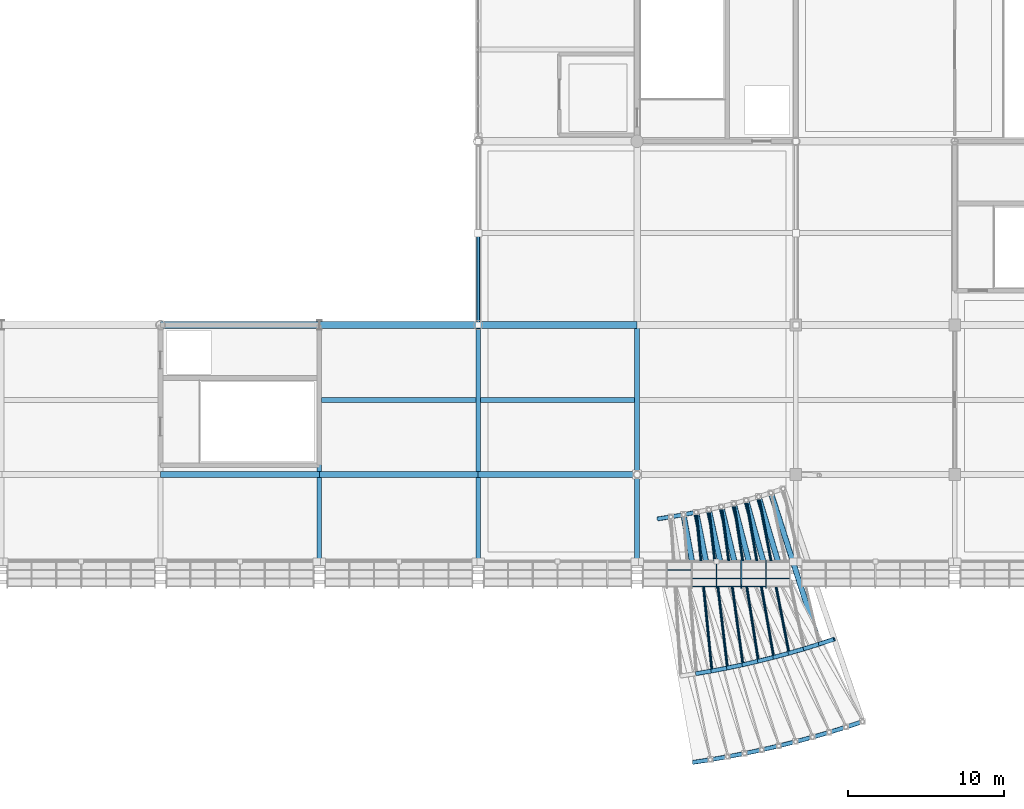
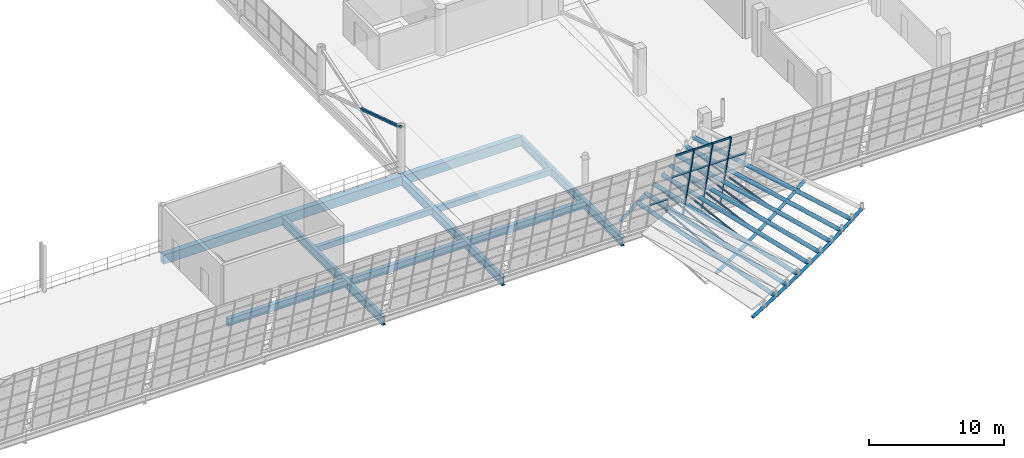
# One storey, part 49 of 157: 48 members, 11 beams, 1 element without a shape of its own.
"""IFC4 building model written with IfcOpenShell, lengths in metres."""

from ifc_helpers import new_model, si_unit, direction, frame, origin, origin_2d, place, context, subcontext, project, spatial, rectangle, hollow_rectangle, hollow_circle, i_section, extrude, material, material_profile, profile_set, type_object, element, aggregate, save


model = new_model("IFC4")

# Units and contexts
model_context = context("Model", 3, precision=1e-05, world=origin(), true_north=direction((0.0, 1.0)))
body_context = subcontext(model_context, "Body", "Model", "MODEL_VIEW")
ifc_project = project(units=[si_unit("LENGTHUNIT", "METRE"), si_unit("AREAUNIT", "SQUARE_METRE"), si_unit("VOLUMEUNIT", "CUBIC_METRE"), si_unit("PLANEANGLEUNIT", "RADIAN"), si_unit("MASSUNIT", "GRAM", prefix="KILO")], contexts=[model_context])

# Site, building, storey
site_placement = place(None, origin())
site = spatial("IfcSite", under=ifc_project, at=site_placement, CompositionType="ELEMENT")
building_placement = place(site_placement, origin())
building = spatial("IfcBuilding", under=site, at=building_placement, Name="Brelvane Convention Centre", CompositionType="ELEMENT")
storey_placement = place(building_placement, frame((0.0, 0.0, 10.800048828125)))
storey = spatial("IfcBuildingStorey", under=building, at=storey_placement, Name="L02", CompositionType="ELEMENT", Elevation=10.800048828125)

# Curtain wall, members
ifc_material_1 = material(Name="Anodised Aluminium Alloy 6063-T6", Category="aluminium")
curtain_wall_type = type_object("IfcCurtainWallType", Name="Curtain Wall CW-HULL-S", PredefinedType="USERDEFINED", material=ifc_material_1)
curtain_wall_placement = place(storey_placement, origin())
curtain_wall = element("IfcCurtainWall", 1, at=curtain_wall_placement, inside=storey, type_object=curtain_wall_type, Name="Curtain Wall CW-HULL-S L02-HULL-S-L02-16", ObjectType="UNITISED", PredefinedType="USERDEFINED")
ifc_material_2 = material(Name="Anodised Aluminium Alloy 6063-T6", Category="aluminium")
ifc_material_profile_1 = material_profile(ifc_material_2, hollow_rectangle(XDim=0.080078125, YDim=0.239990234375, WallThickness=0.006103515625, InnerFilletRadius=0.006103515625, OuterFilletRadius=0.011962890625, at=origin_2d()), Name="ALU-M 240x80x6.0")
ifc_profile_set_1 = profile_set([ifc_material_profile_1], Name="Anodised Aluminium Alloy 6063-T6")
member_type_1 = type_object("IfcMemberType", Name="Curtain Mullion CW-M1", PredefinedType="MULLION", material=ifc_profile_set_1)
member_1_placement = place(storey_placement, frame((158.10009765625, 13.60009765625, 0.0), z_axis=(0.0, -0.228360410362, 0.973576665178), x_axis=(1.0, 0.0, 0.0)))
member_1 = element("IfcMember", 2, at=member_1_placement, type_object=member_type_1, Name="CW-HULL-S mullion 4", PredefinedType="MULLION", context=body_context, shape_type="SweptSolid", body=[
    extrude(hollow_rectangle(XDim=0.080078125, YDim=0.239990234375, WallThickness=0.006103515625, InnerFilletRadius=0.006103515625, OuterFilletRadius=0.011962890625, at=origin_2d()), origin(), (0.0, 0.0, 1.0), 7.03564453125),
])
member_2_placement = place(storey_placement, frame((159.693359375, 13.60009765625, 0.0), z_axis=(0.0, -0.228360410362, 0.973576665178), x_axis=(1.0, 0.0, 0.0)))
member_2 = element("IfcMember", 3, at=member_2_placement, type_object=member_type_1, Name="CW-HULL-S mullion 5", PredefinedType="MULLION", context=body_context, shape_type="SweptSolid", body=[
    extrude(hollow_rectangle(XDim=0.080078125, YDim=0.239990234375, WallThickness=0.006103515625, InnerFilletRadius=0.006103515625, OuterFilletRadius=0.011962890625, at=origin_2d()), origin(), (0.0, 0.0, 1.0), 7.03564453125),
])
member_3_placement = place(storey_placement, frame((161.28662109375, 13.60009765625, 0.0), z_axis=(0.0, -0.228360410362, 0.973576665178), x_axis=(1.0, 0.0, 0.0)))
member_3 = element("IfcMember", 4, at=member_3_placement, type_object=member_type_1, Name="CW-HULL-S mullion 6", PredefinedType="MULLION", context=body_context, shape_type="SweptSolid", body=[
    extrude(hollow_rectangle(XDim=0.080078125, YDim=0.239990234375, WallThickness=0.006103515625, InnerFilletRadius=0.006103515625, OuterFilletRadius=0.011962890625, at=origin_2d()), origin(), (0.0, 0.0, 1.0), 7.03564453125),
])
ifc_material_3 = material(Name="Anodised Aluminium Alloy 6063-T6", Category="aluminium")
ifc_material_profile_2 = material_profile(ifc_material_3, hollow_rectangle(XDim=0.080078125, YDim=0.179931640625, WallThickness=0.0048828125, InnerFilletRadius=0.0048828125, OuterFilletRadius=0.010009765625, at=origin_2d()), Name="ALU-T 180x80x5.0")
ifc_profile_set_2 = profile_set([ifc_material_profile_2], Name="Anodised Aluminium Alloy 6063-T6")
member_type_2 = type_object("IfcMemberType", Name="Curtain Transom CW-T1", PredefinedType="USERDEFINED", material=ifc_profile_set_2)
member_4_placement = place(storey_placement, frame((154.953369140625, 13.064453125, 2.283203125), z_axis=(1.0, 0.0, 0.0), x_axis=(0.0, 1.0, 0.0)))
member_4 = element("IfcMember", 5, at=member_4_placement, type_object=member_type_2, Name="CW-HULL-S transom 2.2", ObjectType="TRANSOM", PredefinedType="USERDEFINED", context=body_context, shape_type="SweptSolid", body=[
    extrude(hollow_rectangle(XDim=0.080078125, YDim=0.179931640625, WallThickness=0.0048828125, InnerFilletRadius=0.0048828125, OuterFilletRadius=0.010009765625, at=origin_2d()), origin(), (0.0, 0.0, 1.0), 1.51318359375),
])
member_5_placement = place(storey_placement, frame((156.546630859375, 12.52880859375, 4.566650390625), z_axis=(1.0, 0.0, 0.0), x_axis=(0.0, 1.0, 0.0)))
member_5 = element("IfcMember", 6, at=member_5_placement, type_object=member_type_2, Name="CW-HULL-S transom 3.3", ObjectType="TRANSOM", PredefinedType="USERDEFINED", context=body_context, shape_type="SweptSolid", body=[
    extrude(hollow_rectangle(XDim=0.080078125, YDim=0.179931640625, WallThickness=0.0048828125, InnerFilletRadius=0.0048828125, OuterFilletRadius=0.010009765625, at=origin_2d()), origin(), (0.0, 0.0, 1.0), 1.513427734375),
])
member_6_placement = place(storey_placement, frame((156.546630859375, 12.002685546875, 6.81005859375), z_axis=(1.0, 0.0, 0.0), x_axis=(0.0, 1.0, 0.0)))
member_6 = element("IfcMember", 7, at=member_6_placement, type_object=member_type_2, Name="CW-HULL-S transom 3.4", ObjectType="TRANSOM", PredefinedType="USERDEFINED", context=body_context, shape_type="SweptSolid", body=[
    extrude(hollow_rectangle(XDim=0.080078125, YDim=0.179931640625, WallThickness=0.0048828125, InnerFilletRadius=0.0048828125, OuterFilletRadius=0.010009765625, at=origin_2d()), origin(), (0.0, 0.0, 1.0), 1.513427734375),
])
member_7_placement = place(storey_placement, frame((158.139892578125, 12.52880859375, 4.566650390625), z_axis=(1.0, 0.0, 0.0), x_axis=(0.0, 1.0, 0.0)))
member_7 = element("IfcMember", 8, at=member_7_placement, type_object=member_type_2, Name="CW-HULL-S transom 4.3", ObjectType="TRANSOM", PredefinedType="USERDEFINED", context=body_context, shape_type="SweptSolid", body=[
    extrude(hollow_rectangle(XDim=0.080078125, YDim=0.179931640625, WallThickness=0.0048828125, InnerFilletRadius=0.0048828125, OuterFilletRadius=0.010009765625, at=origin_2d()), origin(), (0.0, 0.0, 1.0), 1.513427734375),
])
member_8_placement = place(storey_placement, frame((158.139892578125, 12.002685546875, 6.81005859375), z_axis=(1.0, 0.0, 0.0), x_axis=(0.0, 1.0, 0.0)))
member_8 = element("IfcMember", 9, at=member_8_placement, type_object=member_type_2, Name="CW-HULL-S transom 4.4", ObjectType="TRANSOM", PredefinedType="USERDEFINED", context=body_context, shape_type="SweptSolid", body=[
    extrude(hollow_rectangle(XDim=0.080078125, YDim=0.179931640625, WallThickness=0.0048828125, InnerFilletRadius=0.0048828125, OuterFilletRadius=0.010009765625, at=origin_2d()), origin(), (0.0, 0.0, 1.0), 1.513427734375),
])
member_9_placement = place(storey_placement, frame((159.7333984375, 12.52880859375, 4.566650390625), z_axis=(1.0, 0.0, 0.0), x_axis=(0.0, 1.0, 0.0)))
member_9 = element("IfcMember", 10, at=member_9_placement, type_object=member_type_2, Name="CW-HULL-S transom 5.3", ObjectType="TRANSOM", PredefinedType="USERDEFINED", context=body_context, shape_type="SweptSolid", body=[
    extrude(hollow_rectangle(XDim=0.080078125, YDim=0.179931640625, WallThickness=0.0048828125, InnerFilletRadius=0.0048828125, OuterFilletRadius=0.010009765625, at=origin_2d()), origin(), (0.0, 0.0, 1.0), 1.51318359375),
])
member_10_placement = place(storey_placement, frame((159.7333984375, 12.002685546875, 6.81005859375), z_axis=(1.0, 0.0, 0.0), x_axis=(0.0, 1.0, 0.0)))
member_10 = element("IfcMember", 11, at=member_10_placement, type_object=member_type_2, Name="CW-HULL-S transom 5.4", ObjectType="TRANSOM", PredefinedType="USERDEFINED", context=body_context, shape_type="SweptSolid", body=[
    extrude(hollow_rectangle(XDim=0.080078125, YDim=0.179931640625, WallThickness=0.0048828125, InnerFilletRadius=0.0048828125, OuterFilletRadius=0.010009765625, at=origin_2d()), origin(), (0.0, 0.0, 1.0), 1.51318359375),
])
member_11_placement = place(storey_placement, frame((161.32666015625, 12.52880859375, 4.566650390625), z_axis=(1.0, 0.0, 0.0), x_axis=(0.0, 1.0, 0.0)))
member_11 = element("IfcMember", 12, at=member_11_placement, type_object=member_type_2, Name="CW-HULL-S transom 6.3", ObjectType="TRANSOM", PredefinedType="USERDEFINED", context=body_context, shape_type="SweptSolid", body=[
    extrude(hollow_rectangle(XDim=0.080078125, YDim=0.179931640625, WallThickness=0.0048828125, InnerFilletRadius=0.0048828125, OuterFilletRadius=0.010009765625, at=origin_2d()), origin(), (0.0, 0.0, 1.0), 1.473388671875),
])
aggregate(curtain_wall, [member_1, member_2, member_3, member_4, member_5, member_6, member_7, member_8, member_9, member_10, member_11])

# Beams
ifc_material_4 = material(Name="Concrete M40", Category="concrete")
ifc_material_profile_3 = material_profile(ifc_material_4, rectangle(XDim=0.4599609375, YDim=0.840087890625, at=origin_2d()), Name="RC 460x840")
ifc_profile_set_3 = profile_set([ifc_material_profile_3], Name="Concrete M40")
beam_type_1 = type_object("IfcBeamType", Name="RC Beam B-RC11 (RC 460x840)", PredefinedType="BEAM", material=ifc_profile_set_3)
beam_1_placement = place(storey_placement, frame((122.39990234375, 28.800048828125, -0.699951171875), z_axis=(1.0, 0.0, 0.0), x_axis=(0.0, 1.0, 0.0)))
element("IfcBeam", 13, at=beam_1_placement, inside=storey, type_object=beam_type_1, Name="L02 Beam 13-14/D", PredefinedType="BEAM", context=body_context, shape_type="SweptSolid", body=[
    extrude(rectangle(XDim=0.4599609375, YDim=0.840087890625, at=origin_2d()), origin(), (0.0, 0.0, 1.0), 10.2001953125),
])
for number, where, z_axis, x_axis, name in (
    (14, (132.60009765625, 28.800048828125, -0.699951171875), (1.0, 0.0, 0.0), (0.0, 1.0, 0.0), "L02 Beam 14-15/D"),
    (15, (142.800048828125, 28.800048828125, -0.699951171875), (1.0, 0.0, 0.0), (0.0, 1.0, 0.0), "L02 Beam 15-16/D"),
):
    element("IfcBeam", number, at=place(storey_placement, frame(where, z_axis=z_axis, x_axis=x_axis)), inside=storey, type_object=beam_type_1, Name=name, PredefinedType="BEAM", context=body_context, shape_type="SweptSolid", body=[
        extrude(rectangle(XDim=0.4599609375, YDim=0.840087890625, at=origin_2d()), origin(), (0.0, 0.0, 1.0), 10.199951171875),
    ])
ifc_material_5 = material(Name="Concrete M40", Category="concrete")
ifc_material_profile_4 = material_profile(ifc_material_5, rectangle(XDim=0.320068359375, YDim=0.52001953125, at=origin_2d()), Name="RC 320x520")
ifc_profile_set_4 = profile_set([ifc_material_profile_4], Name="Concrete M40")
beam_type_2 = type_object("IfcBeamType", Name="RC Joist J-RC4 (RC 320x520)", PredefinedType="JOIST", material=ifc_profile_set_4)
beam_2_placement = place(storey_placement, frame((132.75, 24.0, -0.5400390625), z_axis=(1.0, 0.0, 0.0), x_axis=(0.0, 1.0, 0.0)))
element("IfcBeam", 16, at=beam_2_placement, inside=storey, type_object=beam_type_2, Name="L02 Secondary Joist 14-15/CD", PredefinedType="JOIST", context=body_context, shape_type="SweptSolid", body=[
    extrude(rectangle(XDim=0.320068359375, YDim=0.52001953125, at=origin_2d()), origin(), (0.0, 0.0, 1.0), 9.89990234375),
])
beam_3_placement = place(storey_placement, frame((142.949951171875, 24.0, -0.5400390625), z_axis=(1.0, 0.0, 0.0), x_axis=(0.0, 1.0, 0.0)))
element("IfcBeam", 17, at=beam_3_placement, inside=storey, type_object=beam_type_2, Name="L02 Secondary Joist 15-16/CD", PredefinedType="JOIST", context=body_context, shape_type="SweptSolid", body=[
    extrude(rectangle(XDim=0.320068359375, YDim=0.52001953125, at=origin_2d()), origin(), (0.0, 0.0, 1.0), 9.900146484375),
])
ifc_material_6 = material(Name="Concrete M40", Category="concrete")
ifc_material_profile_5 = material_profile(ifc_material_6, rectangle(XDim=0.360107421875, YDim=0.639892578125, at=origin_2d()), Name="RC 360x640")
ifc_profile_set_5 = profile_set([ifc_material_profile_5], Name="Concrete M40")
beam_type_3 = type_object("IfcBeamType", Name="RC Spandrel SP-RC3 (RC 360x640)", PredefinedType="SPANDREL", material=ifc_profile_set_5)
beam_4_placement = place(storey_placement, frame((122.39990234375, 19.199951171875, -0.60009765625), z_axis=(1.0, 0.0, 0.0), x_axis=(0.0, 1.0, 0.0)))
element("IfcBeam", 18, at=beam_4_placement, inside=storey, type_object=beam_type_3, Name="L02 Beam 13-14/C", PredefinedType="SPANDREL", context=body_context, shape_type="SweptSolid", body=[
    extrude(rectangle(XDim=0.360107421875, YDim=0.639892578125, at=origin_2d()), origin(), (0.0, 0.0, 1.0), 10.2001953125),
])
for number, where, z_axis, x_axis, name in (
    (19, (132.60009765625, 19.199951171875, -0.60009765625), (1.0, 0.0, 0.0), (0.0, 1.0, 0.0), "L02 Beam 14-15/C"),
    (20, (142.800048828125, 19.199951171875, -0.60009765625), (1.0, 0.0, 0.0), (0.0, 1.0, 0.0), "L02 Beam 15-16/C"),
):
    element("IfcBeam", number, at=place(storey_placement, frame(where, z_axis=z_axis, x_axis=x_axis)), inside=storey, type_object=beam_type_3, Name=name, PredefinedType="SPANDREL", context=body_context, shape_type="SweptSolid", body=[
        extrude(rectangle(XDim=0.360107421875, YDim=0.639892578125, at=origin_2d()), origin(), (0.0, 0.0, 1.0), 10.199951171875),
    ])
ifc_material_7 = material(Name="Steel E450 (450 MPa)", Category="steel")
ifc_material_profile_6 = material_profile(ifc_material_7, i_section(OverallWidth=0.300048828125, OverallDepth=0.800048828125, WebThickness=0.015380859375, FlangeThickness=0.030029296875, FilletRadius=0.027099609375, at=origin_2d()), Name="NPB 800x300")
ifc_profile_set_6 = profile_set([ifc_material_profile_6], Name="Steel E450 (450 MPa)")
beam_type_4 = type_object("IfcBeamType", Name="Steel Beam B-ST2 (NPB 800x300)", PredefinedType="BEAM", material=ifc_profile_set_6)
for number, where, z_axis, x_axis, name in (
    (21, (132.60009765625, 13.60009765625, -0.679931640625), (0.0, 1.0, 0.0), (-1.0, 0.0, 0.0), "L02 Hull Cantilever Girder 14"),
    (22, (142.800048828125, 13.60009765625, -0.679931640625), (0.0, 1.0, 0.0), (-1.0, 0.0, 0.0), "L02 Hull Cantilever Girder 15"),
    (23, (153.0, 13.60009765625, -0.679931640625), (0.0, 1.0, 0.0), (-1.0, 0.0, 0.0), "L02 Hull Cantilever Girder 16"),
):
    element("IfcBeam", number, at=place(storey_placement, frame(where, z_axis=z_axis, x_axis=x_axis)), inside=storey, type_object=beam_type_4, Name=name, PredefinedType="BEAM", context=body_context, shape_type="SweptSolid", body=[
        extrude(i_section(OverallWidth=0.300048828125, OverallDepth=0.800048828125, WebThickness=0.015380859375, FlangeThickness=0.030029296875, FilletRadius=0.027099609375, at=origin_2d()), origin(), (0.0, 0.0, 1.0), 15.199951171875),
    ])

# Members
ifc_material_8 = material(Name="Steel E350 (350 MPa)", Category="steel")
ifc_material_profile_7 = material_profile(ifc_material_8, hollow_rectangle(XDim=0.199951171875, YDim=0.199951171875, WallThickness=0.010009765625, InnerFilletRadius=0.010009765625, OuterFilletRadius=0.02001953125, at=origin_2d()), Name="SHS 200x200x10.0")
ifc_profile_set_7 = profile_set([ifc_material_profile_7], Name="Steel E350 (350 MPa)")
member_type_3 = type_object("IfcMemberType", Name="Steel Brace BR-ST3 (SHS 200x200x10.0)", PredefinedType="BRACE", material=ifc_profile_set_7)
member_12_placement = place(storey_placement, frame((142.800048828125, 34.699951171875, 2.099853515625), z_axis=(0.0, -0.951852181641, 0.306557375226), x_axis=(1.0, 0.0, 0.0)))
element("IfcMember", 24, at=member_12_placement, inside=storey, type_object=member_type_3, Name="Lateral X-Brace Split Upper V1E-1-L02-B2", PredefinedType="BRACE", context=body_context, shape_type="SweptSolid", body=[
    extrude(hollow_rectangle(XDim=0.199951171875, YDim=0.199951171875, WallThickness=0.010009765625, InnerFilletRadius=0.010009765625, OuterFilletRadius=0.02001953125, at=origin_2d()), origin(), (0.0, 0.0, 1.0), 6.1982421875),
])
ifc_material_9 = material(Name="Steel E350 (350 MPa)", Category="steel")
ifc_material_profile_8 = material_profile(ifc_material_9, hollow_circle(Radius=0.084228515625, WallThickness=0.008056640625, at=origin_2d()), Name="CHS 168.3x8.0")
ifc_profile_set_8 = profile_set([ifc_material_profile_8], Name="Steel E350 (350 MPa)")
member_type_4 = type_object("IfcMemberType", Name="Steel Brace SF-DG3 (CHS 168.3x8.0)", PredefinedType="BRACE", material=ifc_profile_set_8)
member_13_placement = place(storey_placement, frame((160.806884765625, 17.7783203125, 2.625), z_axis=(0.190519996985, -0.98077665156, -0.042181637037), x_axis=(0.981650360961, 0.190689718717, 0.0)))
element("IfcMember", 25, at=member_13_placement, inside=storey, type_object=member_type_4, Name="Boulevard Canopy Space-Frame Brace 05", PredefinedType="BRACE", context=body_context, shape_type="SweptSolid", body=[
    extrude(hollow_circle(Radius=0.084228515625, WallThickness=0.008056640625, at=origin_2d()), origin(), (0.0, 0.0, 1.0), 10.250244140625),
])
for number, where, z_axis, x_axis, name in (
    (26, (160.0126953125, 17.548095703125, 2.192626953125), (0.1722969726, -0.984122008689, -0.042633616388), (0.985017612282, 0.172453772048, 0.0), "Boulevard Canopy Space-Frame Brace 06"),
    (27, (159.214111328125, 17.332763671875, 1.755615234375), (0.154002634869, -0.987131643174, -0.04306167087), (0.988048140776, 0.15414561787, 0.0), "Boulevard Canopy Space-Frame Brace 07"),
):
    element("IfcMember", number, at=place(storey_placement, frame(where, z_axis=z_axis, x_axis=x_axis)), inside=storey, type_object=member_type_4, Name=name, PredefinedType="BRACE", context=body_context, shape_type="SweptSolid", body=[
        extrude(hollow_circle(Radius=0.084228515625, WallThickness=0.008056640625, at=origin_2d()), origin(), (0.0, 0.0, 1.0), 10.25048828125),
    ])
member_14_placement = place(storey_placement, frame((158.41162109375, 17.13232421875, 1.314208984375), z_axis=(0.135683467536, -0.989796248436, -0.043513023554), x_axis=(0.990734612963, 0.135812100629, 0.0)))
element("IfcMember", 28, at=member_14_placement, inside=storey, type_object=member_type_4, Name="Boulevard Canopy Space-Frame Brace 08", PredefinedType="BRACE", context=body_context, shape_type="SweptSolid", body=[
    extrude(hollow_circle(Radius=0.084228515625, WallThickness=0.008056640625, at=origin_2d()), origin(), (0.0, 0.0, 1.0), 10.250732421875),
])
for number, where, z_axis, x_axis, name in (
    (29, (157.605712890625, 16.94677734375, 0.8681640625), (0.117293539252, -0.99212472247, -0.043940422319), (0.993083889354, 0.117406936364, 0.0), "Boulevard Canopy Space-Frame Brace 09"),
    (30, (156.79638671875, 16.776123046875, 0.417724609375), (0.098882142234, -0.994108473303, -0.044392175608), (0.995089450939, 0.098979718277, 0.0), "Boulevard Canopy Space-Frame Brace 10"),
):
    element("IfcMember", number, at=place(storey_placement, frame(where, z_axis=z_axis, x_axis=x_axis)), inside=storey, type_object=member_type_4, Name=name, PredefinedType="BRACE", context=body_context, shape_type="SweptSolid", body=[
        extrude(hollow_circle(Radius=0.084228515625, WallThickness=0.008056640625, at=origin_2d()), origin(), (0.0, 0.0, 1.0), 10.251220703125),
    ])
ifc_material_10 = material(Name="Steel E450 (450 MPa)", Category="steel")
ifc_material_profile_9 = material_profile(ifc_material_10, hollow_circle(Radius=0.136474609375, WallThickness=0.012451171875, at=origin_2d()), Name="CHS 273.0x12.5")
ifc_profile_set_9 = profile_set([ifc_material_profile_9], Name="Steel E450 (450 MPa)")
member_type_5 = type_object("IfcMemberType", Name="Steel Chord CN-CH1 (CHS 273.0x12.5)", PredefinedType="CHORD", material=ifc_profile_set_9)
member_15_placement = place(storey_placement, frame((165.67138671875, 8.62744140625, 3.4765625), z_axis=(-0.876402815871, -0.289620971034, -0.38475680302), x_axis=(0.313776086077, -0.949497007792, 0.0)))
element("IfcMember", 31, at=member_15_placement, inside=storey, type_object=member_type_5, Name="Boulevard Canopy Arc Chord COL-03", PredefinedType="CHORD", context=body_context, shape_type="SweptSolid", body=[
    extrude(hollow_circle(Radius=0.136474609375, WallThickness=0.012451171875, at=origin_2d()), origin(), (0.0, 0.0, 1.0), 1.100830078125),
])
member_16_placement = place(storey_placement, frame((167.477294921875, 3.32666015625, 3.4765625), z_axis=(-0.888135099797, -0.293394492334, -0.353745270465), x_axis=(0.313676232796, -0.949530000042, 0.0)))
element("IfcMember", 32, at=member_16_placement, inside=storey, type_object=member_type_5, Name="Boulevard Canopy Arc Chord OUT-03", PredefinedType="CHORD", context=body_context, shape_type="SweptSolid", body=[
    extrude(hollow_circle(Radius=0.136474609375, WallThickness=0.012451171875, at=origin_2d()), origin(), (0.0, 0.0, 1.0), 1.197509765625),
])
member_17_placement = place(storey_placement, frame((164.70654296875, 8.30859375, 3.052978515625), z_axis=(-0.880313947926, -0.272773335977, -0.388126345753), x_axis=(0.295976029358, -0.955195367475, 0.0)))
element("IfcMember", 33, at=member_17_placement, inside=storey, type_object=member_type_5, Name="Boulevard Canopy Arc Chord COL-04", PredefinedType="CHORD", context=body_context, shape_type="SweptSolid", body=[
    extrude(hollow_circle(Radius=0.136474609375, WallThickness=0.012451171875, at=origin_2d()), origin(), (0.0, 0.0, 1.0), 1.102783203125),
])
member_18_placement = place(storey_placement, frame((166.413818359375, 2.975341796875, 3.052978515625), z_axis=(-0.892260877586, -0.27651535184, -0.356945074945), x_axis=(0.296015245571, -0.95518321509, 0.0)))
element("IfcMember", 34, at=member_18_placement, inside=storey, type_object=member_type_5, Name="Boulevard Canopy Arc Chord OUT-04", PredefinedType="CHORD", context=body_context, shape_type="SweptSolid", body=[
    extrude(hollow_circle(Radius=0.136474609375, WallThickness=0.012451171875, at=origin_2d()), origin(), (0.0, 0.0, 1.0), 1.198974609375),
])
member_19_placement = place(storey_placement, frame((163.73583984375, 8.0078125, 2.625), z_axis=(-0.883842786012, -0.256000486794, -0.391517152083), x_axis=(0.278209745413, -0.96052034729, 0.0)))
element("IfcMember", 35, at=member_19_placement, inside=storey, type_object=member_type_5, Name="Boulevard Canopy Arc Chord COL-05", PredefinedType="CHORD", context=body_context, shape_type="SweptSolid", body=[
    extrude(hollow_circle(Radius=0.136474609375, WallThickness=0.012451171875, at=origin_2d()), origin(), (0.0, 0.0, 1.0), 1.104248046875),
])
member_20_placement = place(storey_placement, frame((165.343994140625, 2.643798828125, 2.625), z_axis=(-0.896057167578, -0.259647152938, -0.360090139274), x_axis=(0.278317373717, -0.960489166773, 0.0)))
element("IfcMember", 36, at=member_20_placement, inside=storey, type_object=member_type_5, Name="Boulevard Canopy Arc Chord OUT-05", PredefinedType="CHORD", context=body_context, shape_type="SweptSolid", body=[
    extrude(hollow_circle(Radius=0.136474609375, WallThickness=0.012451171875, at=origin_2d()), origin(), (0.0, 0.0, 1.0), 1.20068359375),
])
member_21_placement = place(storey_placement, frame((162.759765625, 7.72509765625, 2.192626953125), z_axis=(-0.886919964973, -0.239278557001, -0.395118650398), x_axis=(0.260473239674, -0.965481067351, 0.0)))
element("IfcMember", 37, at=member_21_placement, inside=storey, type_object=member_type_5, Name="Boulevard Canopy Arc Chord COL-06", PredefinedType="CHORD", context=body_context, shape_type="SweptSolid", body=[
    extrude(hollow_circle(Radius=0.136474609375, WallThickness=0.012451171875, at=origin_2d()), origin(), (0.0, 0.0, 1.0), 1.10595703125),
])
member_22_placement = place(storey_placement, frame((164.26806640625, 2.33203125, 2.192626953125), z_axis=(-0.899427645065, -0.24267691033, -0.363507673214), x_axis=(0.260497210867, -0.965474599941, 0.0)))
element("IfcMember", 38, at=member_22_placement, inside=storey, type_object=member_type_5, Name="Boulevard Canopy Arc Chord OUT-06", PredefinedType="CHORD", context=body_context, shape_type="SweptSolid", body=[
    extrude(hollow_circle(Radius=0.136474609375, WallThickness=0.012451171875, at=origin_2d()), origin(), (0.0, 0.0, 1.0), 1.2021484375),
])
member_23_placement = place(storey_placement, frame((161.77880859375, 7.46044921875, 1.755615234375), z_axis=(-0.889887959958, -0.222306747115, -0.39834548938), x_axis=(0.242366065407, -0.97018487431, 0.0)))
element("IfcMember", 39, at=member_23_placement, inside=storey, type_object=member_type_5, Name="Boulevard Canopy Arc Chord COL-07", PredefinedType="CHORD", context=body_context, shape_type="SweptSolid", body=[
    extrude(hollow_circle(Radius=0.136474609375, WallThickness=0.012451171875, at=origin_2d()), origin(), (0.0, 0.0, 1.0), 1.108154296875),
])
member_24_placement = place(storey_placement, frame((163.186767578125, 2.040283203125, 1.755615234375), z_axis=(-0.902618649551, -0.225502569827, -0.36664446605), x_axis=(0.242381761367, -0.970180953099, 0.0)))
element("IfcMember", 40, at=member_24_placement, inside=storey, type_object=member_type_5, Name="Boulevard Canopy Arc Chord OUT-07", PredefinedType="CHORD", context=body_context, shape_type="SweptSolid", body=[
    extrude(hollow_circle(Radius=0.136474609375, WallThickness=0.012451171875, at=origin_2d()), origin(), (0.0, 0.0, 1.0), 1.203857421875),
])
member_25_placement = place(storey_placement, frame((160.792724609375, 7.214111328125, 1.314208984375), z_axis=(-0.892314299736, -0.205478687365, -0.401937432351), x_axis=(0.224403257158, -0.974496371556, 0.0)))
element("IfcMember", 41, at=member_25_placement, inside=storey, type_object=member_type_5, Name="Boulevard Canopy Arc Chord COL-08", PredefinedType="CHORD", context=body_context, shape_type="SweptSolid", body=[
    extrude(hollow_circle(Radius=0.136474609375, WallThickness=0.012451171875, at=origin_2d()), origin(), (0.0, 0.0, 1.0), 1.109619140625),
])
member_26_placement = place(storey_placement, frame((162.10009765625, 1.768798828125, 1.314208984375), z_axis=(-0.905375930388, -0.208372138754, -0.369966858604), x_axis=(0.224286390256, -0.974523275836, 0.0)))
element("IfcMember", 42, at=member_26_placement, inside=storey, type_object=member_type_5, Name="Boulevard Canopy Arc Chord OUT-08", PredefinedType="CHORD", context=body_context, shape_type="SweptSolid", body=[
    extrude(hollow_circle(Radius=0.136474609375, WallThickness=0.012451171875, at=origin_2d()), origin(), (0.0, 0.0, 1.0), 1.20556640625),
])
member_27_placement = place(storey_placement, frame((159.802490234375, 6.986083984375, 0.8681640625), z_axis=(-0.894544238248, -0.188660324246, -0.405213385604), x_axis=(0.206361579996, -0.978475803636, 0.0)))
element("IfcMember", 43, at=member_27_placement, inside=storey, type_object=member_type_5, Name="Boulevard Canopy Arc Chord COL-09", PredefinedType="CHORD", context=body_context, shape_type="SweptSolid", body=[
    extrude(hollow_circle(Radius=0.136474609375, WallThickness=0.012451171875, at=origin_2d()), origin(), (0.0, 0.0, 1.0), 1.111572265625),
])
member_28_placement = place(storey_placement, frame((161.008544921875, 1.517578125, 0.8681640625), z_axis=(-0.907805503869, -0.191510762344, -0.373112308897), x_axis=(0.206416915292, -0.978464131729, 0.0)))
element("IfcMember", 44, at=member_28_placement, inside=storey, type_object=member_type_5, Name="Boulevard Canopy Arc Chord OUT-09", PredefinedType="CHORD", context=body_context, shape_type="SweptSolid", body=[
    extrude(hollow_circle(Radius=0.136474609375, WallThickness=0.012451171875, at=origin_2d()), origin(), (0.0, 0.0, 1.0), 1.207275390625),
])
member_29_placement = place(storey_placement, frame((156.79638671875, 16.776123046875, 0.417724609375), z_axis=(-0.860486204314, -0.164751942335, -0.482099875215), x_axis=(0.188048035245, -0.982159832431, 0.0)))
element("IfcMember", 45, at=member_29_placement, inside=storey, type_object=member_type_5, Name="Boulevard Canopy Arc Chord IN-10", PredefinedType="CHORD", context=body_context, shape_type="SweptSolid", body=[
    extrude(hollow_circle(Radius=0.136474609375, WallThickness=0.012451171875, at=origin_2d()), origin(), (0.0, 0.0, 1.0), 0.94384765625),
])
member_30_placement = place(storey_placement, frame((158.80810546875, 6.7763671875, 0.417724609375), z_axis=(-0.896367754088, -0.171686876578, -0.408715629555), x_axis=(0.188116648865, -0.982146692923, 0.0)))
element("IfcMember", 46, at=member_30_placement, inside=storey, type_object=member_type_5, Name="Boulevard Canopy Arc Chord COL-10", PredefinedType="CHORD", context=body_context, shape_type="SweptSolid", body=[
    extrude(hollow_circle(Radius=0.136474609375, WallThickness=0.012451171875, at=origin_2d()), origin(), (0.0, 0.0, 1.0), 1.113525390625),
])
member_31_placement = place(storey_placement, frame((159.91259765625, 1.286376953125, 0.417724609375), z_axis=(-0.909916882649, -0.174269478412, -0.37640591861), x_axis=(0.18810358528, -0.982149194983, 0.0)))
element("IfcMember", 47, at=member_31_placement, inside=storey, type_object=member_type_5, Name="Boulevard Canopy Arc Chord OUT-10", PredefinedType="CHORD", context=body_context, shape_type="SweptSolid", body=[
    extrude(hollow_circle(Radius=0.136474609375, WallThickness=0.012451171875, at=origin_2d()), origin(), (0.0, 0.0, 1.0), 1.208984375),
])
member_32_placement = place(storey_placement, frame((155.984130859375, 16.62060546875, -0.037353515625), z_axis=(-0.861518159873, -0.148662210931, -0.485475032571), x_axis=(0.170045319373, -0.985436243173, 0.0)))
element("IfcMember", 48, at=member_32_placement, inside=storey, type_object=member_type_5, Name="Boulevard Canopy Arc Chord IN-11", PredefinedType="CHORD", context=body_context, shape_type="SweptSolid", body=[
    extrude(hollow_circle(Radius=0.136474609375, WallThickness=0.012451171875, at=origin_2d()), origin(), (0.0, 0.0, 1.0), 0.946044921875),
])
member_33_placement = place(storey_placement, frame((157.81005859375, 6.585205078125, -0.037353515625), z_axis=(-0.898033546459, -0.154780525926, -0.411799390758), x_axis=(0.169850601006, -0.985469823657, 0.0)))
element("IfcMember", 49, at=member_33_placement, inside=storey, type_object=member_type_5, Name="Boulevard Canopy Arc Chord COL-11", PredefinedType="CHORD", context=body_context, shape_type="SweptSolid", body=[
    extrude(hollow_circle(Radius=0.136474609375, WallThickness=0.012451171875, at=origin_2d()), origin(), (0.0, 0.0, 1.0), 1.115234375),
])
member_34_placement = place(storey_placement, frame((158.8125, 1.07568359375, -0.037353515625), z_axis=(-0.911775922464, -0.157140142389, -0.379435953574), x_axis=(0.169841206621, -0.985471442779, 0.0)))
element("IfcMember", 50, at=member_34_placement, inside=storey, type_object=member_type_5, Name="Boulevard Canopy Arc Chord OUT-11", PredefinedType="CHORD", context=body_context, shape_type="SweptSolid", body=[
    extrude(hollow_circle(Radius=0.136474609375, WallThickness=0.012451171875, at=origin_2d()), origin(), (0.0, 0.0, 1.0), 1.210205078125),
])
member_35_placement = place(storey_placement, frame((155.169189453125, 16.47998046875, -0.49658203125), z_axis=(-0.862125658712, -0.132317882526, -0.489112795328), x_axis=(0.1517023232, -0.988426226451, 0.0)))
element("IfcMember", 51, at=member_35_placement, inside=storey, type_object=member_type_5, Name="Boulevard Canopy Arc Chord IN-12", PredefinedType="CHORD", context=body_context, shape_type="SweptSolid", body=[
    extrude(hollow_circle(Radius=0.136474609375, WallThickness=0.012451171875, at=origin_2d()), origin(), (0.0, 0.0, 1.0), 0.948486328125),
])
member_36_placement = place(storey_placement, frame((157.708984375, 0.885498046875, -0.49658203125), z_axis=(-0.913219362272, -0.140154504111, -0.382605686509), x_axis=(0.151696855063, -0.988427065678, 0.0)))
element("IfcMember", 52, at=member_36_placement, inside=storey, type_object=member_type_5, Name="Boulevard Canopy Arc Chord OUT-12", PredefinedType="CHORD", context=body_context, shape_type="SweptSolid", body=[
    extrude(hollow_circle(Radius=0.136474609375, WallThickness=0.012451171875, at=origin_2d()), origin(), (0.0, 0.0, 1.0), 1.21240234375),
])
ifc_material_11 = material(Name="Steel E450 (450 MPa)", Category="steel")
ifc_material_profile_10 = material_profile(ifc_material_11, hollow_circle(Radius=0.177734375, WallThickness=0.01611328125, at=origin_2d()), Name="CHS 355.6x16.0")
ifc_profile_set_10 = profile_set([ifc_material_profile_10], Name="Steel E450 (450 MPa)")
member_type_6 = type_object("IfcMemberType", Name="Steel Rafter CN-RF1 (CHS 355.6x16.0)", PredefinedType="RAFTER", material=ifc_profile_set_10)
for number, where, z_axis, x_axis, name in (
    (53, (161.596923828125, 18.023193359375, 3.052978515625), (0.304866553456, -0.952395077992, 0.0), (0.952395077992, 0.304866553456, 0.0), "Boulevard Canopy Radial Rafter R-04"),
    (54, (160.806884765625, 17.7783203125, 2.625), (0.287159337661, -0.957882829366, 0.0), (0.957882829366, 0.287159337661, 0.0), "Boulevard Canopy Radial Rafter R-05"),
):
    element("IfcMember", number, at=place(storey_placement, frame(where, z_axis=z_axis, x_axis=x_axis)), inside=storey, type_object=member_type_6, Name=name, PredefinedType="RAFTER", context=body_context, shape_type="SweptSolid", body=[
        extrude(hollow_circle(Radius=0.177734375, WallThickness=0.01611328125, at=origin_2d()), origin(), (0.0, 0.0, 1.0), 15.800048828125),
    ])
member_37_placement = place(storey_placement, frame((160.0126953125, 17.548095703125, 2.192626953125), z_axis=(0.269329010295, -0.963048225279, 0.0), x_axis=(0.963048225279, 0.269329010295, 0.0)))
element("IfcMember", 55, at=member_37_placement, inside=storey, type_object=member_type_6, Name="Boulevard Canopy Radial Rafter R-06", PredefinedType="RAFTER", context=body_context, shape_type="SweptSolid", body=[
    extrude(hollow_circle(Radius=0.177734375, WallThickness=0.01611328125, at=origin_2d()), origin(), (0.0, 0.0, 1.0), 15.7998046875),
])
for number, where, z_axis, x_axis, name in (
    (56, (159.214111328125, 17.332763671875, 1.755615234375), (0.251432954565, -0.967874717801, 0.0), (0.967874717801, 0.251432954565, 0.0), "Boulevard Canopy Radial Rafter R-07"),
    (57, (158.41162109375, 17.13232421875, 1.314208984375), (0.233446587715, -0.972369626574, 0.0), (0.972369626574, 0.233446587715, 0.0), "Boulevard Canopy Radial Rafter R-08"),
    (58, (157.605712890625, 16.94677734375, 0.8681640625), (0.215369351267, -0.976532663322, 0.0), (0.976532663322, 0.215369351267, 0.0), "Boulevard Canopy Radial Rafter R-09"),
    (59, (156.79638671875, 16.776123046875, 0.417724609375), (0.197227353442, -0.980357777066, 0.0), (0.980357777066, 0.197227353442, 0.0), "Boulevard Canopy Radial Rafter R-10"),
    (60, (155.984130859375, 16.62060546875, -0.037353515625), (0.179009174849, -0.983847404489, 0.0), (0.983847404489, 0.179009174849, 0.0), "Boulevard Canopy Radial Rafter R-11"),
):
    element("IfcMember", number, at=place(storey_placement, frame(where, z_axis=z_axis, x_axis=x_axis)), inside=storey, type_object=member_type_6, Name=name, PredefinedType="RAFTER", context=body_context, shape_type="SweptSolid", body=[
        extrude(hollow_circle(Radius=0.177734375, WallThickness=0.01611328125, at=origin_2d()), origin(), (0.0, 0.0, 1.0), 15.800048828125),
    ])

save(model, "model.ifc")
